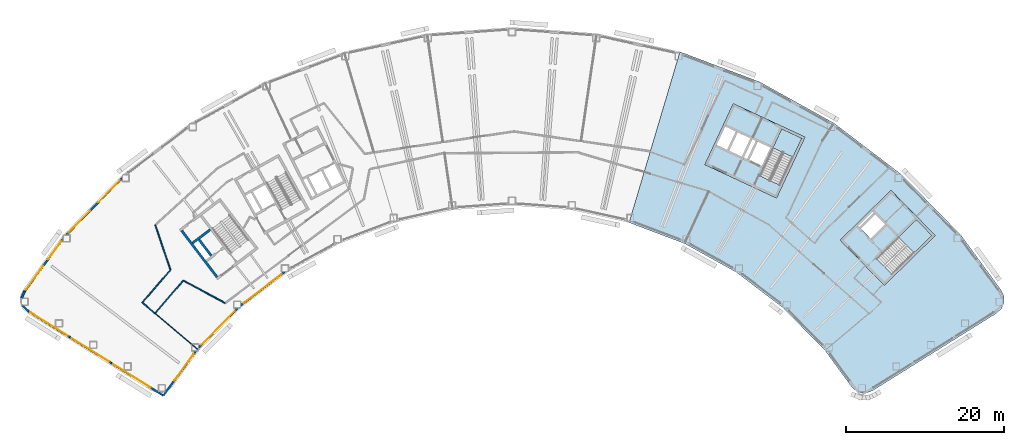
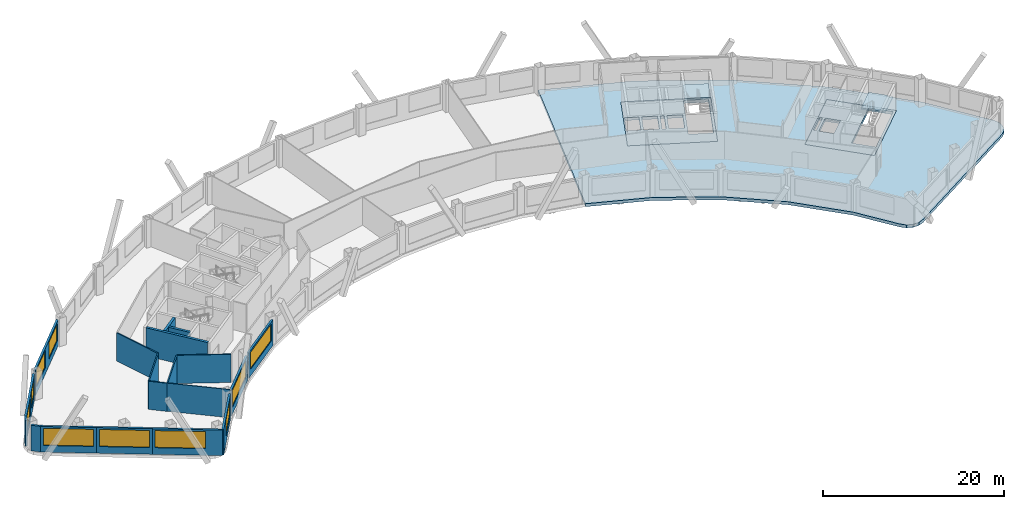
# One storey, part 4 of 12: 19 walls, 10 windows, 5 slabs, 10 openings, 2 elements without a shape of their own.
"""IFC4 building model written with IfcOpenShell, lengths in metres."""

import ifcopenshell
import ifcopenshell.guid

model = None  # the IFC model being written
_history = None  # IfcOwnerHistory: only IFC2X3 demands one
_inside = {}  # id of a spatial element -> (the spatial element, [elements in it])
_under = {}  # id of a project, library or spatial element -> (it, [spatial elements below it])
_declared = {}  # id of a project -> (the project, [libraries it declares])
_typed = {}  # id of a type object -> (the type object, [elements of that type])
_made_of = {}  # id of a material, layer set ... -> (it, [elements and type objects made of it])


def new_model(schema):
    """Start an empty IFC model of exactly this schema.

    Asked for "IFC4X3", IfcOpenShell would pick the latest addendum, in which some entities
    have other attributes; the version numbers below select the first issue.
    IFC2X3 requires an IfcOwnerHistory on every rooted entity: one is made here for all.
    """
    global model, _history
    if schema == "IFC4X3":
        model = ifcopenshell.file(schema_version=(4, 3, 0, 0))
    else:
        model = ifcopenshell.file(schema=schema)
    _inside.clear()
    _under.clear()
    _declared.clear()
    _typed.clear()
    _made_of.clear()
    _history = None
    if model.schema == "IFC2X3":
        org = make("IfcOrganization", Name="unknown")
        user = make(
            "IfcPersonAndOrganization",
            ThePerson=make("IfcPerson", FamilyName="unknown"),
            TheOrganization=org,
        )
        app = make(
            "IfcApplication",
            ApplicationDeveloper=org,
            Version="unknown",
            ApplicationFullName="unknown",
            ApplicationIdentifier="unknown",
        )
        _history = make(
            "IfcOwnerHistory",
            OwningUser=user,
            OwningApplication=app,
            ChangeAction="ADDED",
            CreationDate=0,
        )
    return model


def make(cls, **values):
    """One entity of the class cls with the attributes given. An attribute that is None is left unset."""
    return model.create_entity(
        cls, **{name: value for name, value in values.items() if value is not None}
    )


def rooted(cls, **values):
    """An entity with a GlobalId (a new one), such as an element, a storey or a relation."""
    return make(cls, GlobalId=ifcopenshell.guid.new(), OwnerHistory=_history, **values)


def si_unit(unit_type, name, prefix=None):
    """IfcSIUnit, for example si_unit("LENGTHUNIT", "METRE", prefix="MILLI")."""
    return make("IfcSIUnit", UnitType=unit_type, Prefix=prefix, Name=name)


def assignment(units):
    """IfcUnitAssignment: the units of a project."""
    return None if units is None else make("IfcUnitAssignment", Units=units)


def point(xyz):
    """IfcCartesianPoint."""
    return None if xyz is None else make("IfcCartesianPoint", Coordinates=xyz)


def direction(xyz):
    """IfcDirection."""
    return None if xyz is None else make("IfcDirection", DirectionRatios=xyz)


def frame(location, z_axis=None, x_axis=None):
    """IfcAxis2Placement3D, a coordinate frame: its origin and axes. An axis left out is left unset."""
    return make(
        "IfcAxis2Placement3D",
        Location=point(location),
        Axis=direction(z_axis),
        RefDirection=direction(x_axis),
    )


def frame_2d(location, x_axis=None):
    """IfcAxis2Placement2D, a coordinate frame in the plane: its origin and x axis."""
    return make(
        "IfcAxis2Placement2D", Location=point(location), RefDirection=direction(x_axis)
    )


def origin():
    """The frame at (0, 0, 0) with its axes left unset."""
    return frame((0.0, 0.0, 0.0))


def place(relative_to, where):
    """IfcLocalPlacement: puts the frame where relative to a parent placement (None: the world)."""
    return make(
        "IfcLocalPlacement", PlacementRelTo=relative_to, RelativePlacement=where
    )


def context(
    kind, dimensions, precision=None, world=None, true_north=None, identifier=None
):
    """IfcGeometricRepresentationContext, for example the 3D "Model" context."""
    return make(
        "IfcGeometricRepresentationContext",
        ContextIdentifier=identifier,
        ContextType=kind,
        CoordinateSpaceDimension=dimensions,
        Precision=precision,
        WorldCoordinateSystem=world,
        TrueNorth=true_north,
    )


def subcontext(parent, identifier, kind, view, scale=None):
    """IfcGeometricRepresentationSubContext, for example "Body" below "Model"."""
    return make(
        "IfcGeometricRepresentationSubContext",
        ContextIdentifier=identifier,
        ContextType=kind,
        ParentContext=parent,
        TargetScale=scale,
        TargetView=view,
    )


def project(units=None, contexts=None):
    """IfcProject with its units and contexts."""
    return rooted(
        "IfcProject",
        Name="project",
        RepresentationContexts=contexts,
        UnitsInContext=assignment(units),
    )


def spatial(cls, under=None, at=None, **own):
    """A site, building, storey or space (cls), placed at a placement, below another one or the project."""
    s = rooted(cls, ObjectPlacement=at, **own)
    if under is not None:
        _under.setdefault(under.id(), (under, []))[1].append(s)
    return s


def polyline(points):
    """IfcPolyline through the points."""
    return make("IfcPolyline", Points=[point(p) for p in points])


def profile(cls, at=None, kind="AREA", **sizes):
    """A parametric profile (cls). Its sizes go by their IFC names, for example OverallWidth=200.0."""
    return make(cls, ProfileType=kind, Position=at, **sizes)


def rectangle(**sizes):
    """IfcRectangleProfileDef."""
    return profile("IfcRectangleProfileDef", **sizes)


def outline(outer, holes=None, kind="AREA"):
    """IfcArbitraryClosedProfileDef: a profile drawn as a closed curve; with holes, ...WithVoids."""
    if holes is None:
        return make("IfcArbitraryClosedProfileDef", ProfileType=kind, OuterCurve=outer)
    return make(
        "IfcArbitraryProfileDefWithVoids",
        ProfileType=kind,
        OuterCurve=outer,
        InnerCurves=holes,
    )


def extrude(swept, where, along, depth):
    """IfcExtrudedAreaSolid: the profile swept, set in the frame where, extruded along a direction by depth."""
    return make(
        "IfcExtrudedAreaSolid",
        SweptArea=swept,
        Position=where,
        ExtrudedDirection=direction(along),
        Depth=depth,
    )


def shape(context_of_items, identifier, shape_type, items):
    """IfcShapeRepresentation: the items that make up one representation, for example the "Body"."""
    return make(
        "IfcShapeRepresentation",
        ContextOfItems=context_of_items,
        RepresentationIdentifier=identifier,
        RepresentationType=shape_type,
        Items=items,
    )


def material(Name=None, Category=None):
    """IfcMaterial."""
    return make("IfcMaterial", Name=Name, Category=Category)


def layer(
    of_material, thickness, ventilated=None, Name=None, Category=None, Priority=None
):
    """IfcMaterialLayer: one layer of a wall or slab, of a material (None: an air gap)."""
    return make(
        "IfcMaterialLayer",
        Material=of_material,
        LayerThickness=thickness,
        IsVentilated=ventilated,
        Name=Name,
        Category=Category,
        Priority=Priority,
    )


def layer_set(layers, Name=None):
    """IfcMaterialLayerSet."""
    return make("IfcMaterialLayerSet", MaterialLayers=layers, LayerSetName=Name)


def made_of(thing, what):
    """Note that an element or type object is made of a material, layer set ...; save() writes the relation."""
    if what is not None:
        _made_of.setdefault(what.id(), (what, []))[1].append(thing)
    return thing


def type_object(cls, material=None, **own):
    """A type object (cls), such as IfcWallType, which elements share."""
    return made_of(rooted(cls, **own), material)


def element(
    cls,
    number,
    at=None,
    inside=None,
    cuts=None,
    type_object=None,
    material=None,
    context=None,
    identifier="Body",
    shape_type=None,
    held_by="IfcProductDefinitionShape",
    body=None,
    shapes=None,
    **own,
):
    """One element of the class cls, such as IfcWall. Its Tag is "e" and its number.

    at: its placement. inside: the storey or other place that contains it. cuts: it is an
    opening in that element (IfcRelVoidsElement). A single representation is given by context,
    identifier, shape_type and body (its items); several are given by shapes. held_by: the class
    of the entity that holds the representations. save() writes the other relations.
    """
    e = rooted(cls, Tag="e%d" % number, ObjectPlacement=at, **own)
    if body is not None:
        shapes = [shape(context, identifier, shape_type, body)]
    if shapes is not None:
        e.Representation = make(held_by, Representations=shapes)
    if inside is not None:
        _inside.setdefault(inside.id(), (inside, []))[1].append(e)
    if cuts is not None:
        rooted(
            "IfcRelVoidsElement", RelatingBuildingElement=cuts, RelatedOpeningElement=e
        )
    if type_object is not None:
        _typed.setdefault(type_object.id(), (type_object, []))[1].append(e)
    return made_of(e, material)


def fill(opening, filler):
    """IfcRelFillsElement: the door or window that sits in an opening."""
    return rooted(
        "IfcRelFillsElement",
        RelatingOpeningElement=opening,
        RelatedBuildingElement=filler,
    )


def aggregate(whole, parts):
    """IfcRelAggregates: a whole, such as a stair, and the parts it consists of."""
    return rooted("IfcRelAggregates", RelatingObject=whole, RelatedObjects=parts)


def save(model, path):
    """Write the relations noted so far, then the file.

    IfcRelAggregates (storeys below a building ...), IfcRelContainedInSpatialStructure (elements
    in a storey), IfcRelDefinesByType, IfcRelAssociatesMaterial and IfcRelDeclares: one each for
    every whole, place, type object, material and project.
    """
    for whole, parts in _under.values():
        aggregate(whole, parts)
    for where, things in _inside.values():
        rooted(
            "IfcRelContainedInSpatialStructure",
            RelatedElements=things,
            RelatingStructure=where,
        )
    for kind, things in _typed.values():
        rooted("IfcRelDefinesByType", RelatedObjects=things, RelatingType=kind)
    for what, things in _made_of.values():
        rooted("IfcRelAssociatesMaterial", RelatedObjects=things, RelatingMaterial=what)
    for by, libraries in _declared.values():
        rooted("IfcRelDeclares", RelatingContext=by, RelatedDefinitions=libraries)
    model.write(path)


model = new_model("IFC4")

# Units and contexts
model_context = context("Model", 3, precision=1e-05, world=origin(), true_north=direction((0.0, 1.0)))
body_context = subcontext(model_context, "Body", "Model", "MODEL_VIEW")
ifc_project = project(units=[si_unit("LENGTHUNIT", "METRE"), si_unit("AREAUNIT", "SQUARE_METRE"), si_unit("VOLUMEUNIT", "CUBIC_METRE"), si_unit("PLANEANGLEUNIT", "RADIAN"), si_unit("MASSUNIT", "GRAM", prefix="KILO")], contexts=[model_context])

# Site, building, storey
site_placement = place(None, origin())
site = spatial("IfcSite", under=ifc_project, at=site_placement, CompositionType="ELEMENT")
building_placement = place(site_placement, origin())
building = spatial("IfcBuilding", under=site, at=building_placement, Name="Tuul Gate Civic Tower", CompositionType="ELEMENT")
storey_placement = place(building_placement, frame((0.0, 0.0, 172.10009765625)))
storey = spatial("IfcBuildingStorey", under=building, at=storey_placement, Name="Level 39", CompositionType="ELEMENT", Elevation=172.10009765625)

# Slabs
ifc_material_1 = material(Name="Concrete C40/50", Category="concrete")
ifc_layer_1 = layer(ifc_material_1, 0.39990234375)
ifc_layer_set_1 = layer_set([ifc_layer_1], Name="Concrete C40/50")
slab_type_1 = type_object("IfcSlabType", Name="Core floor slab 400", PredefinedType="FLOOR", material=ifc_layer_set_1)
slab_1_placement = place(storey_placement, frame((0.0, 0.0, -0.400146484375)))
element("IfcSlab", 1, at=slab_1_placement, inside=storey, type_object=slab_type_1, Name="FLOOR SLAB", PredefinedType="FLOOR", context=body_context, shape_type="SweptSolid", body=[
    extrude(outline(polyline([(48.117919921875, -18.43310546875), (54.545166015625, -12.1328125), (48.945068359375, -6.419921875), (42.517822265625, -12.719970703125), (48.117919921875, -18.43310546875)]), holes=[polyline([(46.373779296875, -12.510986328125), (48.19482421875, -10.725830078125), (46.969970703125, -9.47607421875), (45.14892578125, -11.26123046875), (46.373779296875, -12.510986328125)]), polyline([(44.93896484375, -11.046875), (46.760009765625, -9.261962890625), (46.514892578125, -9.011962890625), (44.69384765625, -10.797119140625), (44.93896484375, -11.046875)]), polyline([(49.086181640625, -17.062744140625), (47.12744140625, -15.064208984375), (52.160888671875, -10.130126953125), (54.11962890625, -12.128662109375), (49.086181640625, -17.062744140625)])]), origin(), (0.0, 0.0, 1.0), 0.400146484375),
])
slab_2_placement = place(storey_placement, frame((0.0, 0.0, -0.400146484375)))
element("IfcSlab", 2, at=slab_2_placement, inside=storey, type_object=slab_type_1, Name="FLOOR SLAB", PredefinedType="FLOOR", context=body_context, shape_type="SweptSolid", body=[
    extrude(outline(polyline([(34.465087890625, -7.385986328125), (38.056884765625, 0.31787109375), (28.993896484375, 4.543701171875), (25.40185546875, -3.159912109375), (34.465087890625, -7.385986328125)]), holes=[polyline([(32.60888671875, -3.32080078125), (33.6865234375, -1.009765625), (32.1005859375, -0.27001953125), (31.02294921875, -2.581298828125), (32.60888671875, -3.32080078125)]), polyline([(30.0712890625, -2.137451171875), (31.14892578125, 0.173583984375), (29.562744140625, 0.9130859375), (28.4853515625, -1.39794921875), (30.0712890625, -2.137451171875)]), polyline([(30.751220703125, -2.454345703125), (31.82861328125, -0.143310546875), (31.4208984375, 0.046875), (30.34326171875, -2.264404296875), (30.751220703125, -2.454345703125)]), polyline([(28.21337890625, -1.27099609375), (29.291015625, 1.0400390625), (27.8408203125, 1.71630859375), (26.76318359375, -0.594970703125), (28.21337890625, -1.27099609375)]), polyline([(34.889892578125, -5.7626953125), (32.353759765625, -4.580078125), (35.120849609375, 1.354736328125), (37.6572265625, 0.17236328125), (34.889892578125, -5.7626953125)])]), origin(), (0.0, 0.0, 1.0), 0.400146484375),
])

# Stair, slab
ifc_material_2 = material(Name="Concrete C40/50", Category="concrete")
stair_type = type_object("IfcStairType", Name="Exit stair", PredefinedType="HALF_TURN_STAIR", material=ifc_material_2)
stair_1_placement = place(storey_placement, origin())
stair_1 = element("IfcStair", 3, at=stair_1_placement, inside=storey, type_object=stair_type, Name="Level 39 ST-3", PredefinedType="HALF_TURN_STAIR")
ifc_material_3 = material(Name="Concrete C40/50", Category="concrete")
ifc_layer_2 = layer(ifc_material_3, 0.199951171875)
ifc_layer_set_2 = layer_set([ifc_layer_2], Name="Concrete C40/50")
slab_type_2 = type_object("IfcSlabType", Name="Exit stair landing", PredefinedType="LANDING", material=ifc_layer_set_2)
slab_3_placement = place(storey_placement, frame((0.0, 0.0, 1.89990234375)))
slab_3 = element("IfcSlab", 4, at=slab_3_placement, type_object=slab_type_2, Name="ST-3 landing 1", PredefinedType="LANDING", context=body_context, shape_type="SweptSolid", body=[
    extrude(outline(polyline([(51.871337890625, -14.3349609375), (49.91015625, -12.334228515625), (52.160888671875, -10.1279296875), (54.1220703125, -12.128662109375), (51.871337890625, -14.3349609375)])), origin(), (0.0, 0.0, 1.0), 0.199951171875),
])
aggregate(stair_1, [slab_3])

stair_2_placement = place(storey_placement, origin())
stair_2 = element("IfcStair", 5, at=stair_2_placement, inside=storey, type_object=stair_type, Name="Level 39 ST-4", PredefinedType="HALF_TURN_STAIR")
slab_4_placement = place(storey_placement, frame((0.0, 0.0, 1.89990234375)))
slab_4 = element("IfcSlab", 6, at=slab_4_placement, type_object=slab_type_2, Name="ST-4 landing 1", PredefinedType="LANDING", context=body_context, shape_type="SweptSolid", body=[
    extrude(outline(polyline([(36.538818359375, -2.230224609375), (33.999755859375, -1.046142578125), (35.1201171875, 1.35693359375), (37.659423828125, 0.173095703125), (36.538818359375, -2.230224609375)])), origin(), (0.0, 0.0, 1.0), 0.199951171875),
])
aggregate(stair_2, [slab_4])

# Slab
ifc_material_4 = material(Name="Concrete C35/45", Category="concrete")
ifc_layer_3 = layer(ifc_material_4, 0.39990234375)
ifc_layer_set_3 = layer_set([ifc_layer_3], Name="Concrete C35/45")
slab_type_3 = type_object("IfcSlabType", Name="STR-FLOOR-SLAB-400", PredefinedType="FLOOR", material=ifc_layer_set_3)
slab_5_placement = place(storey_placement, frame((0.0, 0.0, -0.400146484375)))
element("IfcSlab", 7, at=slab_5_placement, inside=storey, type_object=slab_type_3, Name="Level 39/slab/E", PredefinedType="FLOOR", context=body_context, shape_type="SweptSolid", body=[
    extrude(outline(polyline([(45.922119140625, -32.04296875), (46.615966796875, -31.77197265625), (62.345947265625, -21.943115234375), (62.93505859375, -21.37890625), (63.25, -20.6259765625), (63.238037109375, -19.81103515625), (62.90087890625, -19.06689453125), (57.821044921875, -12.111083984375), (50.284912109375, -4.424072265625), (41.720947265625, 2.096923828125), (32.306884765625, 7.31494140625), (22.238037109375, 11.123046875), (15.803955078125, -10.4990234375), (22.823974609375, -13.154052734375), (29.387939453125, -16.7919921875), (35.35888671875, -21.337890625), (40.612060546875, -26.697998046875), (43.94091796875, -31.256103515625), (44.485107421875, -31.764892578125), (45.177001953125, -32.0400390625), (45.922119140625, -32.04296875)]), holes=[polyline([(48.117919921875, -18.43310546875), (42.51806640625, -12.719970703125), (48.945068359375, -6.419921875), (54.544921875, -12.133056640625), (48.117919921875, -18.43310546875)]), polyline([(25.402099609375, -3.159912109375), (28.993896484375, 4.5439453125), (38.056884765625, 0.318115234375), (34.465087890625, -7.385986328125), (25.402099609375, -3.159912109375)])]), origin(), (0.0, 0.0, 1.0), 0.400146484375),
])

# Walls
ifc_material_5 = material(Name="Concrete C50/60", Category="concrete")
ifc_layer_4 = layer(ifc_material_5, 0.300048828125)
ifc_layer_set_4 = layer_set([ifc_layer_4], Name="Concrete C50/60")
wall_type_1 = type_object("IfcWallType", Name="Core wall C50/60", PredefinedType="SHEAR", material=ifc_layer_set_4)
wall_1_placement = place(storey_placement, frame((-37.197509765625, -11.39306640625, 0.0), z_axis=(0.0, 0.0, 1.0), x_axis=(-0.795583820278, -0.605843531707, 0.0)))
element("IfcWall", 8, at=wall_1_placement, inside=storey, type_object=wall_type_1, Name="Core wall", PredefinedType="SHEAR", context=body_context, shape_type="SweptSolid", body=[
    extrude(rectangle(XDim=2.7998046875, YDim=0.300048828125, at=frame_2d((1.39990234375, 0.0))), origin(), (0.0, 0.0, 1.0), 3.7998046875),
])
wall_2_placement = place(storey_placement, frame((-37.073486328125, -14.6923828125, 0.0), z_axis=(0.0, 0.0, 1.0), x_axis=(-0.605728760074, 0.79567120673, 0.0)))
element("IfcWall", 9, at=wall_2_placement, inside=storey, type_object=wall_type_1, Name="Core wall", PredefinedType="SHEAR", context=body_context, shape_type="SweptSolid", body=[
    extrude(rectangle(XDim=2.550048828125, YDim=0.300048828125, at=frame_2d((1.27490234375, 0.0))), origin(), (0.0, 0.0, 1.0), 3.7998046875),
])
wall_3_placement = place(storey_placement, frame((-36.333984375, -17.397216796875, 0.0), z_axis=(0.0, 0.0, 1.0), x_axis=(-0.605753921168, 0.795652051458, 0.0)))
element("IfcWall", 10, at=wall_3_placement, inside=storey, type_object=wall_type_1, Name="Core wall", PredefinedType="SHEAR", context=body_context, shape_type="SweptSolid", body=[
    extrude(rectangle(XDim=7.400146484375, YDim=0.300048828125, at=frame_2d((3.7001953125, 0.0))), origin(), (0.0, 0.0, 1.0), 3.7998046875),
])
ifc_material_6 = material(Name="Gypsum board partition")
ifc_layer_5 = layer(ifc_material_6, 0.14990234375)
ifc_layer_set_5 = layer_set([ifc_layer_5], Name="Gypsum board partition")
wall_type_2 = type_object("IfcWallType", Name="Corridor wall P150", PredefinedType="PARTITIONING", material=ifc_layer_set_5)
wall_4_placement = place(storey_placement, frame((-44.154541015625, -10.803466796875, 0.0), z_axis=(0.0, 0.0, 1.0), x_axis=(0.32153627742, -0.94689726069, 0.0)))
element("IfcWall", 11, at=wall_4_placement, inside=storey, type_object=wall_type_2, Name="p034", PredefinedType="PARTITIONING", context=body_context, shape_type="SweptSolid", body=[
    extrude(rectangle(XDim=5.99609375, YDim=0.14990234375, at=frame_2d((2.998046875, 0.0))), origin(), (0.0, 0.0, 1.0), 3.7998046875),
])
wall_5_placement = place(storey_placement, frame((-45.793212890625, -20.61328125, 0.0), z_axis=(0.0, 0.0, 1.0), x_axis=(0.654802416292, 0.755800102949, 0.0)))
element("IfcWall", 12, at=wall_5_placement, inside=storey, type_object=wall_type_2, Name="p035", PredefinedType="PARTITIONING", context=body_context, shape_type="SweptSolid", body=[
    extrude(rectangle(XDim=5.44140625, YDim=0.14990234375, at=frame_2d((2.720703125, 0.0))), origin(), (0.0, 0.0, 1.0), 3.7998046875),
])
wall_6_placement = place(storey_placement, frame((-45.793212890625, -20.61328125, 0.0), z_axis=(0.0, 0.0, 1.0), x_axis=(0.755865497588, -0.654726927471, 0.0)))
element("IfcWall", 13, at=wall_6_placement, inside=storey, type_object=wall_type_2, Name="p036", PredefinedType="PARTITIONING", context=body_context, shape_type="SweptSolid", body=[
    extrude(rectangle(XDim=2.10009765625, YDim=0.14990234375, at=frame_2d((1.050048828125, 0.0))), origin(), (0.0, 0.0, 1.0), 3.7998046875),
])
wall_7_placement = place(storey_placement, frame((-44.205810546875, -21.98828125, 0.0), z_axis=(0.0, 0.0, 1.0), x_axis=(0.65476751937, 0.755830335179, 0.0)))
element("IfcWall", 14, at=wall_7_placement, inside=storey, type_object=wall_type_2, Name="p037", PredefinedType="PARTITIONING", context=body_context, shape_type="SweptSolid", body=[
    extrude(rectangle(XDim=5.47412109375, YDim=0.14990234375, at=frame_2d((2.737060546875, 0.0))), origin(), (0.0, 0.0, 1.0), 3.7998046875),
])
wall_8_placement = place(storey_placement, frame((-40.599365234375, -17.84912109375, 0.0), z_axis=(0.0, 0.0, 1.0), x_axis=(0.881733546636, -0.471747763891, 0.0)))
element("IfcWall", 15, at=wall_8_placement, inside=storey, type_object=wall_type_2, Name="p043", PredefinedType="PARTITIONING", context=body_context, shape_type="SweptSolid", body=[
    extrude(rectangle(XDim=6.008544921875, YDim=0.14990234375, at=frame_2d((3.00439453125, 0.0))), origin(), (0.0, 0.0, 1.0), 3.7998046875),
])

# Wall, openings, windows
ifc_material_7 = material(Name="Precast concrete C40/50", Category="concrete")
ifc_layer_6 = layer(ifc_material_7, 0.25)
ifc_layer_set_6 = layer_set([ifc_layer_6], Name="Precast concrete C40/50")
wall_type_3 = type_object("IfcWallType", Name="External wall", PredefinedType="STANDARD", material=ifc_layer_set_6)
wall_9_placement = place(storey_placement, frame((-48.35791015625, -4.87060546875, 0.0), z_axis=(0.0, 0.0, 1.0), x_axis=(-0.700041790386, -0.714101877685, 0.0)))
wall_9 = element("IfcWall", 16, at=wall_9_placement, inside=storey, type_object=wall_type_3, Name="External wall", PredefinedType="STANDARD", context=body_context, shape_type="SweptSolid", body=[
    extrude(rectangle(XDim=10.0537109375, YDim=0.25, at=frame_2d((5.02685546875, 0.0))), origin(), (0.0, 0.0, 1.0), 3.449951171875),
])
opening_1_placement = place(wall_9_placement, frame((0.416015625, 0.0, 0.89990234375)))
opening_1 = element("IfcOpeningElement", 17, at=opening_1_placement, cuts=wall_9, Name="Opening W22", PredefinedType="OPENING", context=body_context, shape_type="SweptSolid", body=[
    extrude(rectangle(XDim=3.85009765625, YDim=2.300048828125, at=frame_2d((1.925048828125, 1.14990234375))), frame((0.0, 0.135009765625, 0.0), z_axis=(0.0, -1.0, 0.0), x_axis=(1.0, 0.0, 0.0)), (0.0, 0.0, 1.0), 0.27001953125),
])
opening_2_placement = place(wall_9_placement, frame((5.787109375, 0.0, 0.89990234375)))
opening_2 = element("IfcOpeningElement", 18, at=opening_2_placement, cuts=wall_9, Name="Opening W22", PredefinedType="OPENING", context=body_context, shape_type="SweptSolid", body=[
    extrude(rectangle(XDim=3.85009765625, YDim=2.300048828125, at=frame_2d((1.925048828125, 1.14990234375))), frame((0.0, 0.135009765625, 0.0), z_axis=(0.0, -1.0, 0.0), x_axis=(1.0, 0.0, 0.0)), (0.0, 0.0, 1.0), 0.27001953125),
])
ifc_material_8 = material(Name="Glass", Category="glass")
window_type_1 = type_object("IfcWindowType", Name="Window W22 3850 x 2300", PartitioningType="SINGLE_PANEL", PredefinedType="WINDOW", material=ifc_material_8)
window_1_placement = place(opening_1_placement, origin())
window_1 = element("IfcWindow", 19, at=window_1_placement, inside=storey, type_object=window_type_1, Name="Window", OverallHeight=2.300048828125, OverallWidth=3.85009765625, PartitioningType="SINGLE_PANEL", PredefinedType="WINDOW", context=body_context, shape_type="SweptSolid", body=[
    extrude(rectangle(XDim=3.85009765625, YDim=2.300048828125, at=frame_2d((1.925048828125, 1.14990234375))), frame((0.0, 0.030029296875, 0.0), z_axis=(0.0, -1.0, 0.0), x_axis=(1.0, 0.0, 0.0)), (0.0, 0.0, 1.0), 0.06005859375),
])
fill(opening_1, window_1)
window_2_placement = place(opening_2_placement, origin())
window_2 = element("IfcWindow", 20, at=window_2_placement, inside=storey, type_object=window_type_1, Name="Window", OverallHeight=2.300048828125, OverallWidth=3.85009765625, PartitioningType="SINGLE_PANEL", PredefinedType="WINDOW", context=body_context, shape_type="SweptSolid", body=[
    extrude(rectangle(XDim=3.85009765625, YDim=2.300048828125, at=frame_2d((1.925048828125, 1.14990234375))), frame((0.0, 0.030029296875, 0.0), z_axis=(0.0, -1.0, 0.0), x_axis=(1.0, 0.0, 0.0)), (0.0, 0.0, 1.0), 0.06005859375),
])
fill(opening_2, window_2)

wall_10_placement = place(storey_placement, frame((-55.83203125, -12.565185546875, 0.0), z_axis=(0.0, 0.0, 1.0), x_axis=(-0.589755466838, -0.80758187779, 0.0)))
wall_10 = element("IfcWall", 21, at=wall_10_placement, inside=storey, type_object=wall_type_3, Name="External wall", PredefinedType="STANDARD", context=body_context, shape_type="SweptSolid", body=[
    extrude(rectangle(XDim=8.25244140625, YDim=0.25, at=frame_2d((4.126220703125, 0.0))), origin(), (0.0, 0.0, 1.0), 3.449951171875),
])
opening_3_placement = place(wall_10_placement, frame((0.39990234375, 0.0, 0.89990234375)))
opening_3 = element("IfcOpeningElement", 22, at=opening_3_placement, cuts=wall_10, Name="Opening W23", PredefinedType="OPENING", context=body_context, shape_type="SweptSolid", body=[
    extrude(rectangle(XDim=2.800048828125, YDim=2.300048828125, at=frame_2d((1.39990234375, 1.14990234375))), frame((0.0, 0.135009765625, 0.0), z_axis=(0.0, -1.0, 0.0), x_axis=(1.0, 0.0, 0.0)), (0.0, 0.0, 1.0), 0.27001953125),
])
opening_4_placement = place(wall_10_placement, frame((4.251708984375, 0.0, 0.89990234375)))
opening_4 = element("IfcOpeningElement", 23, at=opening_4_placement, cuts=wall_10, Name="Opening W21", PredefinedType="OPENING", context=body_context, shape_type="SweptSolid", body=[
    extrude(rectangle(XDim=3.699951171875, YDim=2.300048828125, at=frame_2d((1.85009765625, 1.14990234375))), frame((0.0, 0.135009765625, 0.0), z_axis=(0.0, -1.0, 0.0), x_axis=(1.0, 0.0, 0.0)), (0.0, 0.0, 1.0), 0.27001953125),
])
ifc_material_9 = material(Name="Glass", Category="glass")
window_type_2 = type_object("IfcWindowType", Name="Window W21 3700 x 2300", PartitioningType="SINGLE_PANEL", PredefinedType="WINDOW", material=ifc_material_9)
window_3_placement = place(opening_4_placement, origin())
window_3 = element("IfcWindow", 24, at=window_3_placement, inside=storey, type_object=window_type_2, Name="Window", OverallHeight=2.300048828125, OverallWidth=3.699951171875, PartitioningType="SINGLE_PANEL", PredefinedType="WINDOW", context=body_context, shape_type="SweptSolid", body=[
    extrude(rectangle(XDim=3.699951171875, YDim=2.300048828125, at=frame_2d((1.85009765625, 1.14990234375))), frame((0.0, 0.030029296875, 0.0), z_axis=(0.0, -1.0, 0.0), x_axis=(1.0, 0.0, 0.0)), (0.0, 0.0, 1.0), 0.06005859375),
])
fill(opening_4, window_3)
ifc_material_10 = material(Name="Glass", Category="glass")
window_type_3 = type_object("IfcWindowType", Name="Window W23 2800 x 2300", PartitioningType="SINGLE_PANEL", PredefinedType="WINDOW", material=ifc_material_10)
window_4_placement = place(opening_3_placement, origin())
window_4 = element("IfcWindow", 25, at=window_4_placement, inside=storey, type_object=window_type_3, Name="Window", OverallHeight=2.300048828125, OverallWidth=2.800048828125, PartitioningType="SINGLE_PANEL", PredefinedType="WINDOW", context=body_context, shape_type="SweptSolid", body=[
    extrude(rectangle(XDim=2.800048828125, YDim=2.300048828125, at=frame_2d((1.39990234375, 1.14990234375))), frame((0.0, 0.030029296875, 0.0), z_axis=(0.0, -1.0, 0.0), x_axis=(1.0, 0.0, 0.0)), (0.0, 0.0, 1.0), 0.06005859375),
])
fill(opening_3, window_4)

# Walls
wall_11_placement = place(storey_placement, frame((-60.686279296875, -19.207763671875, 0.0), z_axis=(0.0, 0.0, 1.0), x_axis=(-0.413528765966, -0.910491054167, 0.0)))
element("IfcWall", 26, at=wall_11_placement, inside=storey, type_object=wall_type_3, Name="External wall", PredefinedType="STANDARD", context=body_context, shape_type="SweptSolid", body=[
    extrude(rectangle(XDim=0.939208984375, YDim=0.25, at=frame_2d((0.4697265625, 0.0))), origin(), (0.0, 0.0, 1.0), 3.449951171875),
])
wall_12_placement = place(storey_placement, frame((-60.996826171875, -20.962890625, 0.0), z_axis=(0.0, 0.0, 1.0), x_axis=(0.722107994372, -0.691780344087, 0.0)))
element("IfcWall", 27, at=wall_12_placement, inside=storey, type_object=wall_type_3, Name="External wall", PredefinedType="STANDARD", context=body_context, shape_type="SweptSolid", body=[
    extrude(rectangle(XDim=1.102783203125, YDim=0.25, at=frame_2d((0.55126953125, 0.0))), origin(), (0.0, 0.0, 1.0), 3.449951171875),
])

# Wall, opening, window
wall_13_placement = place(storey_placement, frame((-60.220703125, -21.7099609375, 0.0), z_axis=(0.0, 0.0, 1.0), x_axis=(0.848042669488, -0.529927948619, 0.0)))
wall_13 = element("IfcWall", 28, at=wall_13_placement, inside=storey, type_object=wall_type_3, Name="External wall", PredefinedType="STANDARD", context=body_context, shape_type="SweptSolid", body=[
    extrude(rectangle(XDim=6.1826171875, YDim=0.25, at=frame_2d((3.09130859375, 0.0))), origin(), (0.0, 0.0, 1.0), 3.449951171875),
])
opening_5_placement = place(wall_13_placement, frame((0.31640625, 0.0, 0.89990234375)))
opening_5 = element("IfcOpeningElement", 29, at=opening_5_placement, cuts=wall_13, Name="Opening W24", PredefinedType="OPENING", context=body_context, shape_type="SweptSolid", body=[
    extrude(rectangle(XDim=5.550048828125, YDim=2.300048828125, at=frame_2d((2.77490234375, 1.14990234375))), frame((0.0, 0.135009765625, 0.0), z_axis=(0.0, -1.0, 0.0), x_axis=(1.0, 0.0, 0.0)), (0.0, 0.0, 1.0), 0.27001953125),
])
ifc_material_11 = material(Name="Glass", Category="glass")
window_type_4 = type_object("IfcWindowType", Name="Window W24 5550 x 2300", PartitioningType="SINGLE_PANEL", PredefinedType="WINDOW", material=ifc_material_11)
window_5_placement = place(opening_5_placement, origin())
window_5 = element("IfcWindow", 30, at=window_5_placement, inside=storey, type_object=window_type_4, Name="Window", OverallHeight=2.300048828125, OverallWidth=5.550048828125, PartitioningType="SINGLE_PANEL", PredefinedType="WINDOW", context=body_context, shape_type="SweptSolid", body=[
    extrude(rectangle(XDim=5.550048828125, YDim=2.300048828125, at=frame_2d((2.77490234375, 1.14990234375))), frame((0.0, 0.030029296875, 0.0), z_axis=(0.0, -1.0, 0.0), x_axis=(1.0, 0.0, 0.0)), (0.0, 0.0, 1.0), 0.06005859375),
])
fill(opening_5, window_5)

wall_14_placement = place(storey_placement, frame((-54.9775390625, -24.986328125, 0.0), z_axis=(0.0, 0.0, 1.0), x_axis=(0.848053758074, -0.529910203164, 0.0)))
wall_14 = element("IfcWall", 31, at=wall_14_placement, inside=storey, type_object=wall_type_3, Name="External wall", PredefinedType="STANDARD", context=body_context, shape_type="SweptSolid", body=[
    extrude(rectangle(XDim=6.182861328125, YDim=0.25, at=frame_2d((3.09130859375, 0.0))), origin(), (0.0, 0.0, 1.0), 3.449951171875),
])
opening_6_placement = place(wall_14_placement, frame((0.31640625, 0.0, 0.89990234375)))
opening_6 = element("IfcOpeningElement", 32, at=opening_6_placement, cuts=wall_14, Name="Opening W24", PredefinedType="OPENING", context=body_context, shape_type="SweptSolid", body=[
    extrude(rectangle(XDim=5.550048828125, YDim=2.300048828125, at=frame_2d((2.77490234375, 1.14990234375))), frame((0.0, 0.135009765625, 0.0), z_axis=(0.0, -1.0, 0.0), x_axis=(1.0, 0.0, 0.0)), (0.0, 0.0, 1.0), 0.27001953125),
])
window_6_placement = place(opening_6_placement, origin())
window_6 = element("IfcWindow", 33, at=window_6_placement, inside=storey, type_object=window_type_4, Name="Window", OverallHeight=2.300048828125, OverallWidth=5.550048828125, PartitioningType="SINGLE_PANEL", PredefinedType="WINDOW", context=body_context, shape_type="SweptSolid", body=[
    extrude(rectangle(XDim=5.550048828125, YDim=2.300048828125, at=frame_2d((2.77490234375, 1.14990234375))), frame((0.0, 0.030029296875, 0.0), z_axis=(0.0, -1.0, 0.0), x_axis=(1.0, 0.0, 0.0)), (0.0, 0.0, 1.0), 0.06005859375),
])
fill(opening_6, window_6)

wall_15_placement = place(storey_placement, frame((-49.734130859375, -28.2626953125, 0.0), z_axis=(0.0, 0.0, 1.0), x_axis=(0.848047613046, -0.52992003737, 0.0)))
wall_15 = element("IfcWall", 34, at=wall_15_placement, inside=storey, type_object=wall_type_3, Name="External wall", PredefinedType="STANDARD", context=body_context, shape_type="SweptSolid", body=[
    extrude(rectangle(XDim=7.787841796875, YDim=0.25, at=frame_2d((3.89404296875, 0.0))), origin(), (0.0, 0.0, 1.0), 3.449951171875),
])
opening_7_placement = place(wall_15_placement, frame((0.31640625, 0.0, 0.89990234375)))
opening_7 = element("IfcOpeningElement", 35, at=opening_7_placement, cuts=wall_15, Name="Opening W24", PredefinedType="OPENING", context=body_context, shape_type="SweptSolid", body=[
    extrude(rectangle(XDim=5.550048828125, YDim=2.300048828125, at=frame_2d((2.77490234375, 1.14990234375))), frame((0.0, 0.135009765625, 0.0), z_axis=(0.0, -1.0, 0.0), x_axis=(1.0, 0.0, 0.0)), (0.0, 0.0, 1.0), 0.27001953125),
])
window_7_placement = place(opening_7_placement, origin())
window_7 = element("IfcWindow", 36, at=window_7_placement, inside=storey, type_object=window_type_4, Name="Window", OverallHeight=2.300048828125, OverallWidth=5.550048828125, PartitioningType="SINGLE_PANEL", PredefinedType="WINDOW", context=body_context, shape_type="SweptSolid", body=[
    extrude(rectangle(XDim=5.550048828125, YDim=2.300048828125, at=frame_2d((2.77490234375, 1.14990234375))), frame((0.0, 0.030029296875, 0.0), z_axis=(0.0, -1.0, 0.0), x_axis=(1.0, 0.0, 0.0)), (0.0, 0.0, 1.0), 0.06005859375),
])
fill(opening_7, window_7)

wall_16_placement = place(storey_placement, frame((-43.129638671875, -32.3896484375, 0.0), z_axis=(0.0, 0.0, 1.0), x_axis=(0.589748783254, 0.807586758591, 0.0)))
wall_16 = element("IfcWall", 37, at=wall_16_placement, inside=storey, type_object=wall_type_3, Name="External wall", PredefinedType="STANDARD", context=body_context, shape_type="SweptSolid", body=[
    extrude(rectangle(XDim=6.97216796875, YDim=0.25, at=frame_2d((3.486083984375, 0.0))), origin(), (0.0, 0.0, 1.0), 3.449951171875),
])
opening_8_placement = place(wall_16_placement, frame((2.357666015625, 0.0, 0.89990234375)))
opening_8 = element("IfcOpeningElement", 38, at=opening_8_placement, cuts=wall_16, Name="Opening W25", PredefinedType="OPENING", context=body_context, shape_type="SweptSolid", body=[
    extrude(rectangle(XDim=4.14990234375, YDim=2.300048828125, at=frame_2d((2.074951171875, 1.14990234375))), frame((0.0, 0.135009765625, 0.0), z_axis=(0.0, -1.0, 0.0), x_axis=(1.0, 0.0, 0.0)), (0.0, 0.0, 1.0), 0.27001953125),
])
ifc_material_12 = material(Name="Glass", Category="glass")
window_type_5 = type_object("IfcWindowType", Name="Window W25 4150 x 2300", PartitioningType="SINGLE_PANEL", PredefinedType="WINDOW", material=ifc_material_12)
window_8_placement = place(opening_8_placement, origin())
window_8 = element("IfcWindow", 39, at=window_8_placement, inside=storey, type_object=window_type_5, Name="Window", OverallHeight=2.300048828125, OverallWidth=4.14990234375, PartitioningType="SINGLE_PANEL", PredefinedType="WINDOW", context=body_context, shape_type="SweptSolid", body=[
    extrude(rectangle(XDim=4.14990234375, YDim=2.300048828125, at=frame_2d((2.074951171875, 1.14990234375))), frame((0.0, 0.030029296875, 0.0), z_axis=(0.0, -1.0, 0.0), x_axis=(1.0, 0.0, 0.0)), (0.0, 0.0, 1.0), 0.06005859375),
])
fill(opening_8, window_8)

wall_17_placement = place(storey_placement, frame((-38.64111328125, -26.313232421875, 0.0), z_axis=(0.0, 0.0, 1.0), x_axis=(0.700101181113, 0.71404365147, 0.0)))
wall_17 = element("IfcWall", 40, at=wall_17_placement, inside=storey, type_object=wall_type_3, Name="External wall", PredefinedType="STANDARD", context=body_context, shape_type="SweptSolid", body=[
    extrude(rectangle(XDim=6.96923828125, YDim=0.25, at=frame_2d((3.484619140625, 0.0))), origin(), (0.0, 0.0, 1.0), 3.449951171875),
])
opening_9_placement = place(wall_17_placement, frame((0.484130859375, 0.0, 0.89990234375)))
opening_9 = element("IfcOpeningElement", 41, at=opening_9_placement, cuts=wall_17, Name="Opening W26", PredefinedType="OPENING", context=body_context, shape_type="SweptSolid", body=[
    extrude(rectangle(XDim=6.0, YDim=2.300048828125, at=frame_2d((3.0, 1.14990234375))), frame((0.0, 0.135009765625, 0.0), z_axis=(0.0, -1.0, 0.0), x_axis=(1.0, 0.0, 0.0)), (0.0, 0.0, 1.0), 0.27001953125),
])
ifc_material_13 = material(Name="Glass", Category="glass")
window_type_6 = type_object("IfcWindowType", Name="Window W26 6000 x 2300", PartitioningType="SINGLE_PANEL", PredefinedType="WINDOW", material=ifc_material_13)
window_9_placement = place(opening_9_placement, origin())
window_9 = element("IfcWindow", 42, at=window_9_placement, inside=storey, type_object=window_type_6, Name="Window", OverallHeight=2.300048828125, OverallWidth=6.0, PartitioningType="SINGLE_PANEL", PredefinedType="WINDOW", context=body_context, shape_type="SweptSolid", body=[
    extrude(rectangle(XDim=6.0, YDim=2.300048828125, at=frame_2d((3.0, 1.14990234375))), frame((0.0, 0.030029296875, 0.0), z_axis=(0.0, -1.0, 0.0), x_axis=(1.0, 0.0, 0.0)), (0.0, 0.0, 1.0), 0.06005859375),
])
fill(opening_9, window_9)

wall_18_placement = place(storey_placement, frame((-33.326904296875, -20.953857421875, 0.0), z_axis=(0.0, 0.0, 1.0), x_axis=(0.795583108554, 0.605844466331, 0.0)))
wall_18 = element("IfcWall", 43, at=wall_18_placement, inside=storey, type_object=wall_type_3, Name="External wall", PredefinedType="STANDARD", context=body_context, shape_type="SweptSolid", body=[
    extrude(rectangle(XDim=6.95849609375, YDim=0.25, at=frame_2d((3.479248046875, 0.0))), origin(), (0.0, 0.0, 1.0), 3.449951171875),
])
opening_10_placement = place(wall_18_placement, frame((0.478271484375, 0.0, 0.89990234375)))
opening_10 = element("IfcOpeningElement", 44, at=opening_10_placement, cuts=wall_18, Name="Opening W26", PredefinedType="OPENING", context=body_context, shape_type="SweptSolid", body=[
    extrude(rectangle(XDim=6.0, YDim=2.300048828125, at=frame_2d((3.0, 1.14990234375))), frame((0.0, 0.135009765625, 0.0), z_axis=(0.0, -1.0, 0.0), x_axis=(1.0, 0.0, 0.0)), (0.0, 0.0, 1.0), 0.27001953125),
])
window_10_placement = place(opening_10_placement, origin())
window_10 = element("IfcWindow", 45, at=window_10_placement, inside=storey, type_object=window_type_6, Name="Window", OverallHeight=2.300048828125, OverallWidth=6.0, PartitioningType="SINGLE_PANEL", PredefinedType="WINDOW", context=body_context, shape_type="SweptSolid", body=[
    extrude(rectangle(XDim=6.0, YDim=2.300048828125, at=frame_2d((3.0, 1.14990234375))), frame((0.0, 0.030029296875, 0.0), z_axis=(0.0, -1.0, 0.0), x_axis=(1.0, 0.0, 0.0)), (0.0, 0.0, 1.0), 0.06005859375),
])
fill(opening_10, window_10)

# Wall
ifc_material_14 = material(Name="Gypsum board partition")
ifc_layer_7 = layer(ifc_material_14, 0.10009765625)
ifc_layer_set_7 = layer_set([ifc_layer_7], Name="Gypsum board partition")
wall_type_4 = type_object("IfcWallType", Name="Partition P100", PredefinedType="PARTITIONING", material=ifc_layer_set_7)
wall_19_placement = place(storey_placement, frame((-44.198486328125, -21.979736328125, 0.0), z_axis=(0.0, 0.0, 1.0), x_axis=(0.762833719746, -0.646594707695, 0.0)))
element("IfcWall", 46, at=wall_19_placement, inside=storey, type_object=wall_type_4, Name="p026", PredefinedType="PARTITIONING", context=body_context, shape_type="SweptSolid", body=[
    extrude(rectangle(XDim=7.025634765625, YDim=0.10009765625, at=frame_2d((3.5126953125, 0.0))), origin(), (0.0, 0.0, 1.0), 3.7998046875),
])

save(model, "model.ifc")
